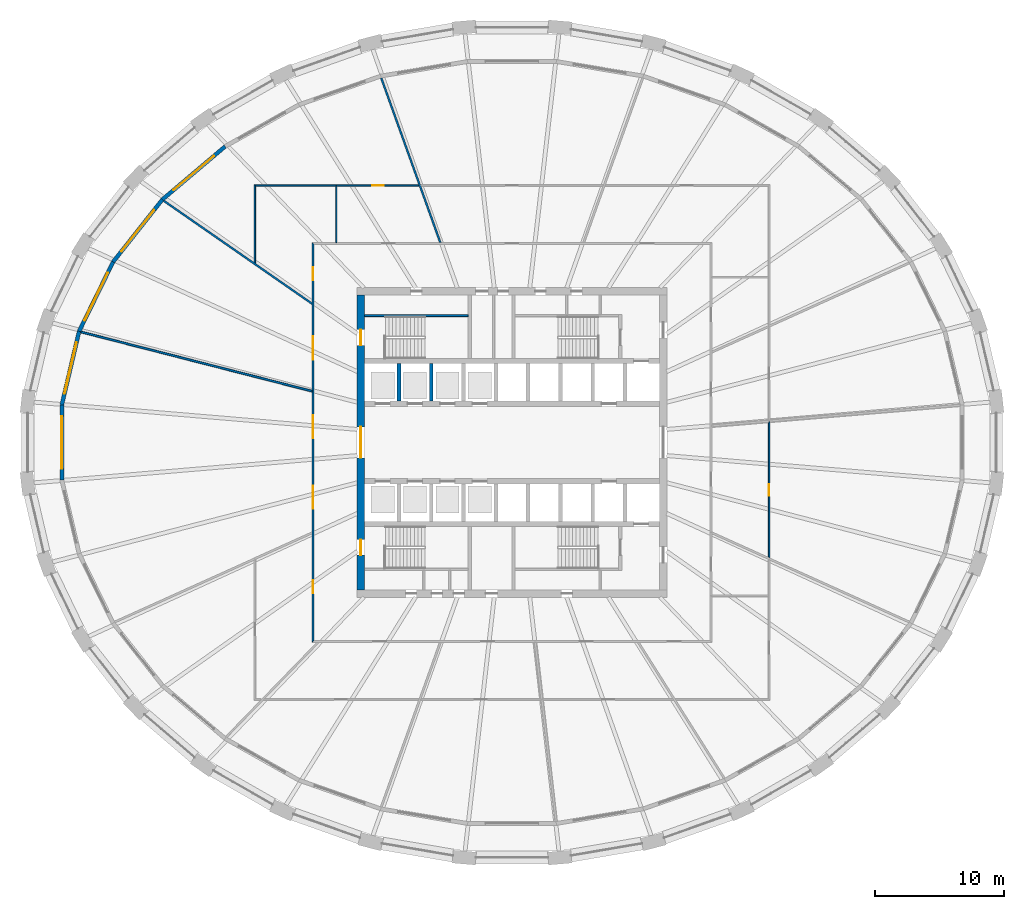
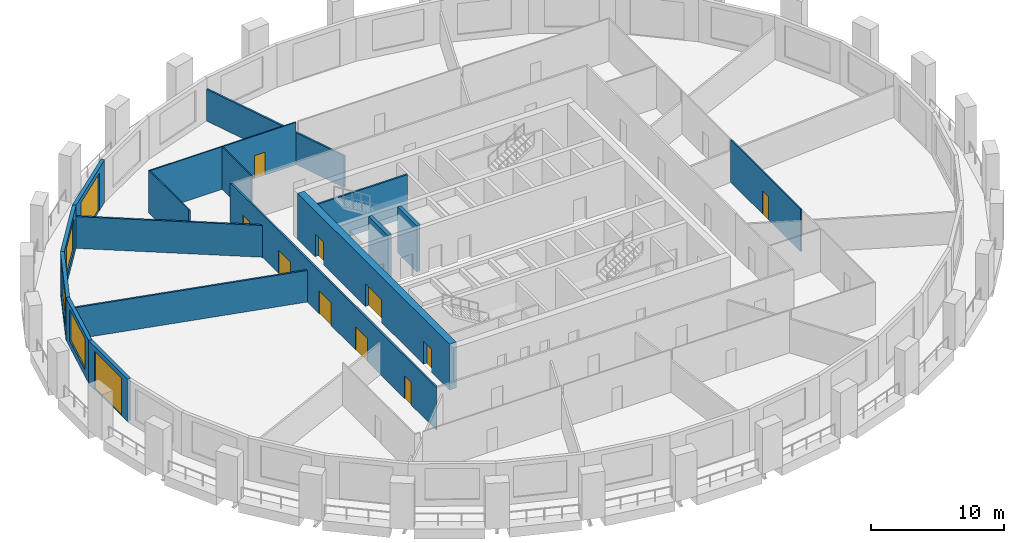
# One storey, part 5 of 11: 17 walls, 12 doors, 3 windows, 15 openings.
"""IFC4 building model written with IfcOpenShell, lengths in metres."""

import ifcopenshell
import ifcopenshell.guid

model = None  # the IFC model being written
_history = None  # IfcOwnerHistory: only IFC2X3 demands one
_inside = {}  # id of a spatial element -> (the spatial element, [elements in it])
_under = {}  # id of a project, library or spatial element -> (it, [spatial elements below it])
_declared = {}  # id of a project -> (the project, [libraries it declares])
_typed = {}  # id of a type object -> (the type object, [elements of that type])
_made_of = {}  # id of a material, layer set ... -> (it, [elements and type objects made of it])


def new_model(schema):
    """Start an empty IFC model of exactly this schema.

    Asked for "IFC4X3", IfcOpenShell would pick the latest addendum, in which some entities
    have other attributes; the version numbers below select the first issue.
    IFC2X3 requires an IfcOwnerHistory on every rooted entity: one is made here for all.
    """
    global model, _history
    if schema == "IFC4X3":
        model = ifcopenshell.file(schema_version=(4, 3, 0, 0))
    else:
        model = ifcopenshell.file(schema=schema)
    _inside.clear()
    _under.clear()
    _declared.clear()
    _typed.clear()
    _made_of.clear()
    _history = None
    if model.schema == "IFC2X3":
        org = make("IfcOrganization", Name="unknown")
        user = make(
            "IfcPersonAndOrganization",
            ThePerson=make("IfcPerson", FamilyName="unknown"),
            TheOrganization=org,
        )
        app = make(
            "IfcApplication",
            ApplicationDeveloper=org,
            Version="unknown",
            ApplicationFullName="unknown",
            ApplicationIdentifier="unknown",
        )
        _history = make(
            "IfcOwnerHistory",
            OwningUser=user,
            OwningApplication=app,
            ChangeAction="ADDED",
            CreationDate=0,
        )
    return model


def make(cls, **values):
    """One entity of the class cls with the attributes given. An attribute that is None is left unset."""
    return model.create_entity(
        cls, **{name: value for name, value in values.items() if value is not None}
    )


def rooted(cls, **values):
    """An entity with a GlobalId (a new one), such as an element, a storey or a relation."""
    return make(cls, GlobalId=ifcopenshell.guid.new(), OwnerHistory=_history, **values)


def si_unit(unit_type, name, prefix=None):
    """IfcSIUnit, for example si_unit("LENGTHUNIT", "METRE", prefix="MILLI")."""
    return make("IfcSIUnit", UnitType=unit_type, Prefix=prefix, Name=name)


def assignment(units):
    """IfcUnitAssignment: the units of a project."""
    return None if units is None else make("IfcUnitAssignment", Units=units)


def point(xyz):
    """IfcCartesianPoint."""
    return None if xyz is None else make("IfcCartesianPoint", Coordinates=xyz)


def direction(xyz):
    """IfcDirection."""
    return None if xyz is None else make("IfcDirection", DirectionRatios=xyz)


def frame(location, z_axis=None, x_axis=None):
    """IfcAxis2Placement3D, a coordinate frame: its origin and axes. An axis left out is left unset."""
    return make(
        "IfcAxis2Placement3D",
        Location=point(location),
        Axis=direction(z_axis),
        RefDirection=direction(x_axis),
    )


def frame_2d(location, x_axis=None):
    """IfcAxis2Placement2D, a coordinate frame in the plane: its origin and x axis."""
    return make(
        "IfcAxis2Placement2D", Location=point(location), RefDirection=direction(x_axis)
    )


def origin():
    """The frame at (0, 0, 0) with its axes left unset."""
    return frame((0.0, 0.0, 0.0))


def place(relative_to, where):
    """IfcLocalPlacement: puts the frame where relative to a parent placement (None: the world)."""
    return make(
        "IfcLocalPlacement", PlacementRelTo=relative_to, RelativePlacement=where
    )


def context(
    kind, dimensions, precision=None, world=None, true_north=None, identifier=None
):
    """IfcGeometricRepresentationContext, for example the 3D "Model" context."""
    return make(
        "IfcGeometricRepresentationContext",
        ContextIdentifier=identifier,
        ContextType=kind,
        CoordinateSpaceDimension=dimensions,
        Precision=precision,
        WorldCoordinateSystem=world,
        TrueNorth=true_north,
    )


def subcontext(parent, identifier, kind, view, scale=None):
    """IfcGeometricRepresentationSubContext, for example "Body" below "Model"."""
    return make(
        "IfcGeometricRepresentationSubContext",
        ContextIdentifier=identifier,
        ContextType=kind,
        ParentContext=parent,
        TargetScale=scale,
        TargetView=view,
    )


def project(units=None, contexts=None):
    """IfcProject with its units and contexts."""
    return rooted(
        "IfcProject",
        Name="project",
        RepresentationContexts=contexts,
        UnitsInContext=assignment(units),
    )


def spatial(cls, under=None, at=None, **own):
    """A site, building, storey or space (cls), placed at a placement, below another one or the project."""
    s = rooted(cls, ObjectPlacement=at, **own)
    if under is not None:
        _under.setdefault(under.id(), (under, []))[1].append(s)
    return s


def polyline(points):
    """IfcPolyline through the points."""
    return make("IfcPolyline", Points=[point(p) for p in points])


def profile(cls, at=None, kind="AREA", **sizes):
    """A parametric profile (cls). Its sizes go by their IFC names, for example OverallWidth=200.0."""
    return make(cls, ProfileType=kind, Position=at, **sizes)


def rectangle(**sizes):
    """IfcRectangleProfileDef."""
    return profile("IfcRectangleProfileDef", **sizes)


def outline(outer, holes=None, kind="AREA"):
    """IfcArbitraryClosedProfileDef: a profile drawn as a closed curve; with holes, ...WithVoids."""
    if holes is None:
        return make("IfcArbitraryClosedProfileDef", ProfileType=kind, OuterCurve=outer)
    return make(
        "IfcArbitraryProfileDefWithVoids",
        ProfileType=kind,
        OuterCurve=outer,
        InnerCurves=holes,
    )


def extrude(swept, where, along, depth):
    """IfcExtrudedAreaSolid: the profile swept, set in the frame where, extruded along a direction by depth."""
    return make(
        "IfcExtrudedAreaSolid",
        SweptArea=swept,
        Position=where,
        ExtrudedDirection=direction(along),
        Depth=depth,
    )


def shape(context_of_items, identifier, shape_type, items):
    """IfcShapeRepresentation: the items that make up one representation, for example the "Body"."""
    return make(
        "IfcShapeRepresentation",
        ContextOfItems=context_of_items,
        RepresentationIdentifier=identifier,
        RepresentationType=shape_type,
        Items=items,
    )


def material(Name=None, Category=None):
    """IfcMaterial."""
    return make("IfcMaterial", Name=Name, Category=Category)


def layer(
    of_material, thickness, ventilated=None, Name=None, Category=None, Priority=None
):
    """IfcMaterialLayer: one layer of a wall or slab, of a material (None: an air gap)."""
    return make(
        "IfcMaterialLayer",
        Material=of_material,
        LayerThickness=thickness,
        IsVentilated=ventilated,
        Name=Name,
        Category=Category,
        Priority=Priority,
    )


def layer_set(layers, Name=None):
    """IfcMaterialLayerSet."""
    return make("IfcMaterialLayerSet", MaterialLayers=layers, LayerSetName=Name)


def made_of(thing, what):
    """Note that an element or type object is made of a material, layer set ...; save() writes the relation."""
    if what is not None:
        _made_of.setdefault(what.id(), (what, []))[1].append(thing)
    return thing


def type_object(cls, material=None, **own):
    """A type object (cls), such as IfcWallType, which elements share."""
    return made_of(rooted(cls, **own), material)


def element(
    cls,
    number,
    at=None,
    inside=None,
    cuts=None,
    type_object=None,
    material=None,
    context=None,
    identifier="Body",
    shape_type=None,
    held_by="IfcProductDefinitionShape",
    body=None,
    shapes=None,
    **own,
):
    """One element of the class cls, such as IfcWall. Its Tag is "e" and its number.

    at: its placement. inside: the storey or other place that contains it. cuts: it is an
    opening in that element (IfcRelVoidsElement). A single representation is given by context,
    identifier, shape_type and body (its items); several are given by shapes. held_by: the class
    of the entity that holds the representations. save() writes the other relations.
    """
    e = rooted(cls, Tag="e%d" % number, ObjectPlacement=at, **own)
    if body is not None:
        shapes = [shape(context, identifier, shape_type, body)]
    if shapes is not None:
        e.Representation = make(held_by, Representations=shapes)
    if inside is not None:
        _inside.setdefault(inside.id(), (inside, []))[1].append(e)
    if cuts is not None:
        rooted(
            "IfcRelVoidsElement", RelatingBuildingElement=cuts, RelatedOpeningElement=e
        )
    if type_object is not None:
        _typed.setdefault(type_object.id(), (type_object, []))[1].append(e)
    return made_of(e, material)


def fill(opening, filler):
    """IfcRelFillsElement: the door or window that sits in an opening."""
    return rooted(
        "IfcRelFillsElement",
        RelatingOpeningElement=opening,
        RelatedBuildingElement=filler,
    )


def aggregate(whole, parts):
    """IfcRelAggregates: a whole, such as a stair, and the parts it consists of."""
    return rooted("IfcRelAggregates", RelatingObject=whole, RelatedObjects=parts)


def save(model, path):
    """Write the relations noted so far, then the file.

    IfcRelAggregates (storeys below a building ...), IfcRelContainedInSpatialStructure (elements
    in a storey), IfcRelDefinesByType, IfcRelAssociatesMaterial and IfcRelDeclares: one each for
    every whole, place, type object, material and project.
    """
    for whole, parts in _under.values():
        aggregate(whole, parts)
    for where, things in _inside.values():
        rooted(
            "IfcRelContainedInSpatialStructure",
            RelatedElements=things,
            RelatingStructure=where,
        )
    for kind, things in _typed.values():
        rooted("IfcRelDefinesByType", RelatedObjects=things, RelatingType=kind)
    for what, things in _made_of.values():
        rooted("IfcRelAssociatesMaterial", RelatedObjects=things, RelatingMaterial=what)
    for by, libraries in _declared.values():
        rooted("IfcRelDeclares", RelatingContext=by, RelatedDefinitions=libraries)
    model.write(path)


model = new_model("IFC4")

# Units and contexts
model_context = context("Model", 3, precision=1e-05, world=origin(), true_north=direction((0.0, 1.0)))
body_context = subcontext(model_context, "Body", "Model", "MODEL_VIEW")
ifc_project = project(units=[si_unit("LENGTHUNIT", "METRE"), si_unit("AREAUNIT", "SQUARE_METRE"), si_unit("VOLUMEUNIT", "CUBIC_METRE"), si_unit("PLANEANGLEUNIT", "RADIAN"), si_unit("MASSUNIT", "GRAM", prefix="KILO")], contexts=[model_context])

# Site, building, storey
site_placement = place(None, origin())
site = spatial("IfcSite", under=ifc_project, at=site_placement, CompositionType="ELEMENT")
building_placement = place(site_placement, origin())
building = spatial("IfcBuilding", under=site, at=building_placement, Name="Halqa Exchange Tower", CompositionType="ELEMENT")
storey_placement = place(building_placement, frame((0.0, 0.0, 40.300048828125)))
storey = spatial("IfcBuildingStorey", under=building, at=storey_placement, Name="L08", CompositionType="ELEMENT", Elevation=40.300048828125)

# Wall
ifc_material_1 = material(Name="Fire-rated gypsum board")
ifc_layer_1 = layer(ifc_material_1, 0.14990234375)
ifc_layer_set_1 = layer_set([ifc_layer_1], Name="Fire-rated gypsum board")
wall_type_1 = type_object("IfcWallType", Name="Fire partition EI 60 150", PredefinedType="PARTITIONING", material=ifc_layer_set_1)
wall_1_placement = place(storey_placement, frame((-26.949462890625, 18.702880859375, 0.0), z_axis=(0.0, 0.0, 1.0), x_axis=(0.821614916445, -0.570042918626, 0.0)))
element("IfcWall", 1, at=wall_1_placement, inside=storey, type_object=wall_type_1, Name="L08-PWL-002", PredefinedType="PARTITIONING", context=body_context, shape_type="SweptSolid", body=[
    extrude(outline(polyline([(14.017333984375, -0.074951171875), (14.017333984375, -0.074462890625), (13.966796875, -0.001708984375), (13.966796875, -0.001708984375), (13.913818359375, 0.074951171875), (12.099853515625, 0.074951171875), (10.285888671875, 0.074951171875), (8.47216796875, 0.074951171875), (8.46875, 0.07275390625), (8.467041015625, 0.074951171875), (6.778564453125, 0.074951171875), (5.090087890625, 0.074951171875), (3.401611328125, 0.074951171875), (1.712890625, 0.074951171875), (0.0244140625, 0.074951171875), (0.00439453125, 0.00048828125), (0.0, -0.071044921875), (0.0, -0.074951171875), (1.752197265625, -0.074951171875), (3.50439453125, -0.074951171875), (5.256591796875, -0.074951171875), (7.0087890625, -0.074951171875), (8.7607421875, -0.074951171875), (10.512939453125, -0.074951171875), (12.26513671875, -0.074951171875), (14.017333984375, -0.074951171875)])), origin(), (0.0, 0.0, 1.0), 2.909912109375),
])

# Wall, openings, doors
wall_2_placement = place(storey_placement, frame((-15.39990234375, -15.47509765625, 0.0), z_axis=(0.0, 0.0, 1.0), x_axis=(0.0, 1.0, 0.0)))
wall_2 = element("IfcWall", 2, at=wall_2_placement, inside=storey, type_object=wall_type_1, Name="L08-PWL-009", PredefinedType="PARTITIONING", context=body_context, shape_type="SweptSolid", body=[
    extrude(outline(polyline([(0.150146484375, -0.074951171875), (2.065673828125, -0.074951171875), (3.9814453125, -0.074951171875), (5.89697265625, -0.074951171875), (7.8125, -0.074951171875), (9.728271484375, -0.074951171875), (11.643798828125, -0.074951171875), (13.5595703125, -0.074951171875), (15.47509765625, -0.074951171875), (17.390625, -0.074951171875), (19.306396484375, -0.074951171875), (21.221923828125, -0.074951171875), (23.1376953125, -0.074951171875), (25.05322265625, -0.074951171875), (26.96875, -0.074951171875), (28.884521484375, -0.074951171875), (30.800048828125, -0.074951171875), (30.949951171875, 0.074951171875), (29.015625, 0.074951171875), (27.081298828125, 0.074951171875), (25.14697265625, 0.074951171875), (23.21240234375, 0.074951171875), (21.278076171875, 0.074951171875), (19.34375, 0.074951171875), (17.409423828125, 0.074951171875), (15.47509765625, 0.074951171875), (13.540771484375, 0.074951171875), (11.6064453125, 0.074951171875), (9.672119140625, 0.074951171875), (7.73779296875, 0.074951171875), (5.80322265625, 0.074951171875), (3.868896484375, 0.074951171875), (1.9345703125, 0.074951171875), (0.000244140625, 0.074951171875), (0.150146484375, -0.074951171875)])), origin(), (0.0, 0.0, 1.0), 3.89990234375),
])
opening_1_placement = place(wall_2_placement, frame((28.02001953125, 0.0, 0.0)))
opening_1 = element("IfcOpeningElement", 3, at=opening_1_placement, cuts=wall_2, Name="Opening 02-01", PredefinedType="OPENING", context=body_context, shape_type="SweptSolid", body=[
    extrude(rectangle(XDim=1.0, YDim=2.10009765625, at=frame_2d((0.5, 1.050048828125))), frame((0.0, 0.0869140625, 0.0), z_axis=(0.0, -1.0, 0.0), x_axis=(1.0, 0.0, 0.0)), (0.0, 0.0, 1.0), 0.173828125),
])
opening_2_placement = place(wall_2_placement, frame((21.89501953125, 0.0, 0.0)))
opening_2 = element("IfcOpeningElement", 4, at=opening_2_placement, cuts=wall_2, Name="Opening 02-03", PredefinedType="OPENING", context=body_context, shape_type="SweptSolid", body=[
    extrude(rectangle(XDim=1.800048828125, YDim=2.10009765625, at=frame_2d((0.89990234375, 1.050048828125))), frame((0.0, 0.0869140625, 0.0), z_axis=(0.0, -1.0, 0.0), x_axis=(1.0, 0.0, 0.0)), (0.0, 0.0, 1.0), 0.173828125),
])
opening_3_placement = place(wall_2_placement, frame((15.797607421875, 0.0, 0.0)))
opening_3 = element("IfcOpeningElement", 5, at=opening_3_placement, cuts=wall_2, Name="Opening 02-04", PredefinedType="OPENING", context=body_context, shape_type="SweptSolid", body=[
    extrude(rectangle(XDim=1.800048828125, YDim=2.10009765625, at=frame_2d((0.89990234375, 1.050048828125))), frame((0.0, 0.0869140625, 0.0), z_axis=(0.0, -1.0, 0.0), x_axis=(1.0, 0.0, 0.0)), (0.0, 0.0, 1.0), 0.173828125),
])
opening_4_placement = place(wall_2_placement, frame((10.342529296875, 0.0, 0.0)))
opening_4 = element("IfcOpeningElement", 6, at=opening_4_placement, cuts=wall_2, Name="Opening 02-05", PredefinedType="OPENING", context=body_context, shape_type="SweptSolid", body=[
    extrude(rectangle(XDim=1.800048828125, YDim=2.10009765625, at=frame_2d((0.89990234375, 1.050048828125))), frame((0.0, 0.0869140625, 0.0), z_axis=(0.0, -1.0, 0.0), x_axis=(1.0, 0.0, 0.0)), (0.0, 0.0, 1.0), 0.173828125),
])
opening_5_placement = place(wall_2_placement, frame((3.794921875, 0.0, 0.0)))
opening_5 = element("IfcOpeningElement", 7, at=opening_5_placement, cuts=wall_2, Name="Opening 02-06", PredefinedType="OPENING", context=body_context, shape_type="SweptSolid", body=[
    extrude(rectangle(XDim=1.0, YDim=2.10009765625, at=frame_2d((0.5, 1.050048828125))), frame((0.0, 0.0869140625, 0.0), z_axis=(0.0, -1.0, 0.0), x_axis=(1.0, 0.0, 0.0)), (0.0, 0.0, 1.0), 0.173828125),
])
ifc_material_2 = material(Name="Steel fire door leaf", Category="steel")
door_type_1 = type_object("IfcDoorType", Name="Fire door FD30S 1000 x 2100", OperationType="SINGLE_SWING_LEFT", PredefinedType="DOOR", material=ifc_material_2)
door_1_placement = place(opening_1_placement, origin())
door_1 = element("IfcDoor", 8, at=door_1_placement, inside=storey, type_object=door_type_1, Name="L08-IDR-001", OperationType="SINGLE_SWING_RIGHT", OverallHeight=2.10009765625, OverallWidth=1.0, PredefinedType="DOOR", context=body_context, shape_type="SweptSolid", body=[
    extrude(rectangle(XDim=1.0, YDim=2.10009765625, at=frame_2d((0.5, 1.050048828125))), frame((0.0, 0.02490234375, 0.0), z_axis=(0.0, -1.0, 0.0), x_axis=(1.0, 0.0, 0.0)), (0.0, 0.0, 1.0), 0.050048828125),
])
fill(opening_1, door_1)
door_2_placement = place(opening_5_placement, origin())
door_2 = element("IfcDoor", 9, at=door_2_placement, inside=storey, type_object=door_type_1, Name="L08-IDR-006", OperationType="SINGLE_SWING_LEFT", OverallHeight=2.10009765625, OverallWidth=1.0, PredefinedType="DOOR", context=body_context, shape_type="SweptSolid", body=[
    extrude(rectangle(XDim=1.0, YDim=2.10009765625, at=frame_2d((0.5, 1.050048828125))), frame((0.0, 0.02490234375, 0.0), z_axis=(0.0, -1.0, 0.0), x_axis=(1.0, 0.0, 0.0)), (0.0, 0.0, 1.0), 0.050048828125),
])
fill(opening_5, door_2)
door_type_2 = type_object("IfcDoorType", Name="Fire door FD30S double 1800 x 2100", OperationType="DOUBLE_DOOR_SINGLE_SWING", PredefinedType="DOOR", material=ifc_material_2)
door_3_placement = place(opening_2_placement, origin())
door_3 = element("IfcDoor", 10, at=door_3_placement, inside=storey, type_object=door_type_2, Name="L08-IDR-003", OperationType="DOUBLE_DOOR_SINGLE_SWING", OverallHeight=2.10009765625, OverallWidth=1.800048828125, PredefinedType="DOOR", context=body_context, shape_type="SweptSolid", body=[
    extrude(rectangle(XDim=1.800048828125, YDim=2.10009765625, at=frame_2d((0.89990234375, 1.050048828125))), frame((0.0, 0.02490234375, 0.0), z_axis=(0.0, -1.0, 0.0), x_axis=(1.0, 0.0, 0.0)), (0.0, 0.0, 1.0), 0.050048828125),
])
fill(opening_2, door_3)
door_4_placement = place(opening_3_placement, origin())
door_4 = element("IfcDoor", 11, at=door_4_placement, inside=storey, type_object=door_type_2, Name="L08-IDR-004", OperationType="DOUBLE_DOOR_SINGLE_SWING", OverallHeight=2.10009765625, OverallWidth=1.800048828125, PredefinedType="DOOR", context=body_context, shape_type="SweptSolid", body=[
    extrude(rectangle(XDim=1.800048828125, YDim=2.10009765625, at=frame_2d((0.89990234375, 1.050048828125))), frame((0.0, 0.02490234375, 0.0), z_axis=(0.0, -1.0, 0.0), x_axis=(1.0, 0.0, 0.0)), (0.0, 0.0, 1.0), 0.050048828125),
])
fill(opening_3, door_4)
door_5_placement = place(opening_4_placement, origin())
door_5 = element("IfcDoor", 12, at=door_5_placement, inside=storey, type_object=door_type_2, Name="L08-IDR-005", OperationType="DOUBLE_DOOR_SINGLE_SWING", OverallHeight=2.10009765625, OverallWidth=1.800048828125, PredefinedType="DOOR", context=body_context, shape_type="SweptSolid", body=[
    extrude(rectangle(XDim=1.800048828125, YDim=2.10009765625, at=frame_2d((0.89990234375, 1.050048828125))), frame((0.0, 0.02490234375, 0.0), z_axis=(0.0, -1.0, 0.0), x_axis=(1.0, 0.0, 0.0)), (0.0, 0.0, 1.0), 0.050048828125),
])
fill(opening_4, door_5)

# Walls
wall_3_placement = place(storey_placement, frame((-15.456787109375, 3.964599609375, 0.0), z_axis=(0.0, 0.0, 1.0), x_axis=(-0.968658160146, 0.248397602209, 0.0)))
element("IfcWall", 13, at=wall_3_placement, inside=storey, type_object=wall_type_1, Name="L08-PWL-011", PredefinedType="PARTITIONING", context=body_context, shape_type="SweptSolid", body=[
    extrude(outline(polyline([(0.0380859375, -0.074951171875), (1.880615234375, -0.074951171875), (3.723388671875, -0.074951171875), (5.566162109375, -0.074951171875), (7.40869140625, -0.074951171875), (9.25146484375, -0.074951171875), (11.093994140625, -0.074951171875), (12.936767578125, -0.074951171875), (14.779296875, -0.074951171875), (16.6220703125, -0.074951171875), (18.46484375, -0.074951171875), (18.477783203125, -0.01220703125), (18.477783203125, 0.074951171875), (16.6298828125, 0.074951171875), (14.7822265625, 0.074951171875), (12.9345703125, 0.074951171875), (11.086669921875, 0.074951171875), (9.23876953125, 0.074951171875), (7.39111328125, 0.074951171875), (5.54345703125, 0.074951171875), (3.695556640625, 0.074951171875), (1.84765625, 0.074951171875), (0.0, 0.074951171875), (0.0, 0.0732421875), (0.0380859375, -0.074951171875)])), origin(), (0.0, 0.0, 1.0), 2.891845703125),
])
wall_4_placement = place(storey_placement, frame((-10.119384765625, 28.209228515625, 0.0), z_axis=(0.0, 0.0, 1.0), x_axis=(0.337949016046, -0.941164418448, 0.0)))
element("IfcWall", 14, at=wall_4_placement, inside=storey, type_object=wall_type_1, Name="L08-PWL-015", PredefinedType="PARTITIONING", context=body_context, shape_type="SweptSolid", body=[
    extrude(outline(polyline([(0.0, -0.074951171875), (1.749755859375, -0.074951171875), (3.49951171875, -0.074951171875), (5.249267578125, -0.074951171875), (6.9990234375, -0.074951171875), (8.74853515625, -0.074951171875), (8.7490234375, -0.07421875), (8.751220703125, -0.074951171875), (10.335205078125, -0.074951171875), (11.919189453125, -0.074951171875), (13.50341796875, -0.074951171875), (13.554931640625, 0.068603515625), (13.554931640625, 0.068603515625), (13.556884765625, 0.073974609375), (13.556884765625, 0.074951171875), (12.007568359375, 0.074951171875), (10.4580078125, 0.074951171875), (8.90869140625, 0.074951171875), (8.908203125, 0.0732421875), (8.9033203125, 0.074951171875), (7.12548828125, 0.074951171875), (5.347412109375, 0.074951171875), (3.569580078125, 0.074951171875), (1.791748046875, 0.074951171875), (0.013916015625, 0.074951171875), (0.00048828125, 0.00048828125), (0.0, -0.070556640625), (0.0, -0.074951171875)])), origin(), (0.0, 0.0, 1.0), 2.909912109375),
])
ifc_material_3 = material(Name="Gypsum board")
ifc_layer_2 = layer(ifc_material_3, 0.10009765625)
ifc_layer_set_2 = layer_set([ifc_layer_2], Name="Gypsum board")
wall_type_2 = type_object("IfcWallType", Name="Partition 100 gypsum", PredefinedType="PARTITIONING", material=ifc_layer_set_2)
wall_5_placement = place(storey_placement, frame((-19.89990234375, 13.868896484375, 0.0), z_axis=(0.0, 0.0, 1.0), x_axis=(0.0, 1.0, 0.0)))
element("IfcWall", 15, at=wall_5_placement, inside=storey, type_object=wall_type_2, Name="L08-PWL-006", PredefinedType="PARTITIONING", context=body_context, shape_type="SweptSolid", body=[
    extrude(outline(polyline([(0.0, -0.050048828125), (1.99365234375, -0.050048828125), (3.9873046875, -0.050048828125), (5.98095703125, -0.050048828125), (5.981201171875, -0.0498046875), (6.0810546875, 0.050048828125), (4.578125, 0.050048828125), (3.0751953125, 0.050048828125), (1.572021484375, 0.050048828125), (0.069091796875, 0.050048828125), (0.0, -0.049560546875), (0.0, -0.050048828125)])), origin(), (0.0, 0.0, 1.0), 3.89990234375),
])

# Wall, opening, door
wall_6_placement = place(storey_placement, frame((-19.949951171875, 19.89990234375, 0.0), z_axis=(0.0, 0.0, 1.0), x_axis=(1.0, 0.0, 0.0)))
wall_6 = element("IfcWall", 16, at=wall_6_placement, inside=storey, type_object=wall_type_2, Name="L08-PWL-007", PredefinedType="PARTITIONING", context=body_context, shape_type="SweptSolid", body=[
    extrude(outline(polyline([(12.717529296875, 0.050048828125), (10.900634765625, 0.050048828125), (9.083984375, 0.050048828125), (7.26708984375, 0.050048828125), (5.450439453125, 0.050048828125), (3.633544921875, 0.050048828125), (1.81689453125, 0.050048828125), (0.0, 0.050048828125), (0.10009765625, -0.050048828125), (1.902587890625, -0.050048828125), (3.705078125, -0.050048828125), (5.507568359375, -0.050048828125), (7.31005859375, -0.050048828125), (9.112548828125, -0.050048828125), (10.9150390625, -0.050048828125), (12.717529296875, -0.050048828125), (12.717529296875, 0.050048828125)])), origin(), (0.0, 0.0, 1.0), 3.89990234375),
])
opening_6_placement = place(wall_6_placement, frame((9.1298828125, 0.0, 0.0)))
opening_6 = element("IfcOpeningElement", 17, at=opening_6_placement, cuts=wall_6, Name="Opening 02-17", PredefinedType="OPENING", context=body_context, shape_type="SweptSolid", body=[
    extrude(rectangle(XDim=0.89990234375, YDim=2.10009765625, at=frame_2d((0.449951171875, 1.050048828125))), frame((0.0, 0.06201171875, 0.0), z_axis=(0.0, -1.0, 0.0), x_axis=(1.0, 0.0, 0.0)), (0.0, 0.0, 1.0), 0.1240234375),
])
ifc_material_4 = material(Name="Timber door leaf", Category="wood")
door_type_3 = type_object("IfcDoorType", Name="Door 900 x 2100", OperationType="SINGLE_SWING_LEFT", PredefinedType="DOOR", material=ifc_material_4)
door_6_placement = place(opening_6_placement, frame((0.89990234375, 0.0, 0.0), z_axis=(0.0, 0.0, 1.0), x_axis=(-1.0, 0.0, 0.0)))
door_6 = element("IfcDoor", 18, at=door_6_placement, inside=storey, type_object=door_type_3, Name="L08-IDR-017", OperationType="SINGLE_SWING_RIGHT", OverallHeight=2.10009765625, OverallWidth=0.89990234375, PredefinedType="DOOR", context=body_context, shape_type="SweptSolid", body=[
    extrude(rectangle(XDim=0.89990234375, YDim=2.10009765625, at=frame_2d((0.449951171875, 1.050048828125))), frame((0.0, 0.02490234375, 0.0), z_axis=(0.0, -1.0, 0.0), x_axis=(1.0, 0.0, 0.0)), (0.0, 0.0, 1.0), 0.050048828125),
])
fill(opening_6, door_6)

# Wall
wall_7_placement = place(storey_placement, frame((-13.60009765625, 19.85009765625, 0.0), z_axis=(0.0, 0.0, 1.0), x_axis=(0.0, -1.0, 0.0)))
element("IfcWall", 19, at=wall_7_placement, inside=storey, type_object=wall_type_2, Name="L08-PWL-013", PredefinedType="PARTITIONING", context=body_context, shape_type="SweptSolid", body=[
    extrude(rectangle(XDim=4.375, YDim=0.10009765625, at=frame_2d((2.1875, 0.0))), origin(), (0.0, 0.0, 1.0), 3.89990234375),
])

# Wall, opening, door
wall_8_placement = place(storey_placement, frame((19.89990234375, 1.58837890625, 0.0), z_axis=(0.0, 0.0, 1.0), x_axis=(0.0, -1.0, 0.0)))
wall_8 = element("IfcWall", 20, at=wall_8_placement, inside=storey, type_object=wall_type_2, Name="L08-PWL-035", PredefinedType="PARTITIONING", context=body_context, shape_type="SweptSolid", body=[
    extrude(outline(polyline([(0.017822265625, -0.050048828125), (1.76025390625, -0.050048828125), (3.5029296875, -0.050048828125), (5.24560546875, -0.050048828125), (6.98828125, -0.050048828125), (8.73095703125, -0.050048828125), (10.473388671875, -0.050048828125), (10.518310546875, 0.04931640625), (10.518310546875, 0.050048828125), (8.76513671875, 0.050048828125), (7.01220703125, 0.050048828125), (5.25927734375, 0.050048828125), (3.506103515625, 0.050048828125), (1.7529296875, 0.050048828125), (0.0, 0.050048828125), (0.0, 0.044189453125), (0.00732421875, -0.04345703125), (0.0, -0.044189453125), (0.0, -0.04443359375), (0.01708984375, -0.043212890625), (0.017822265625, -0.050048828125)])), origin(), (0.0, 0.0, 1.0), 3.89990234375),
])
opening_7_placement = place(wall_8_placement, frame((4.80859375, 0.0, 0.0)))
opening_7 = element("IfcOpeningElement", 21, at=opening_7_placement, cuts=wall_8, Name="Opening 02-23", PredefinedType="OPENING", context=body_context, shape_type="SweptSolid", body=[
    extrude(rectangle(XDim=0.89990234375, YDim=2.10009765625, at=frame_2d((0.449951171875, 1.050048828125))), frame((0.0, 0.06201171875, 0.0), z_axis=(0.0, -1.0, 0.0), x_axis=(1.0, 0.0, 0.0)), (0.0, 0.0, 1.0), 0.1240234375),
])
door_7_placement = place(opening_7_placement, frame((0.89990234375, 0.0, 0.0), z_axis=(0.0, 0.0, 1.0), x_axis=(-1.0, 0.0, 0.0)))
door_7 = element("IfcDoor", 22, at=door_7_placement, inside=storey, type_object=door_type_3, Name="L08-IDR-023", OperationType="SINGLE_SWING_RIGHT", OverallHeight=2.10009765625, OverallWidth=0.89990234375, PredefinedType="DOOR", context=body_context, shape_type="SweptSolid", body=[
    extrude(rectangle(XDim=0.89990234375, YDim=2.10009765625, at=frame_2d((0.449951171875, 1.050048828125))), frame((0.0, 0.02490234375, 0.0), z_axis=(0.0, -1.0, 0.0), x_axis=(1.0, 0.0, 0.0)), (0.0, 0.0, 1.0), 0.050048828125),
])
fill(opening_7, door_7)

# Walls
ifc_material_5 = material(Name="Concrete C60/75", Category="concrete")
ifc_layer_3 = layer(ifc_material_5, 0.300048828125)
ifc_layer_set_3 = layer_set([ifc_layer_3], Name="Concrete C60/75")
wall_type_3 = type_object("IfcWallType", Name="RC core wall 300", PredefinedType="SHEAR", material=ifc_layer_set_3)
for number, where, z_axis, x_axis, name in (
    (23, (-8.75, 3.199951171875, 0.0), (0.0, 0.0, 1.0), (0.0, 1.0, 0.0), "Shaft divider N1"),
    (24, (-6.25, 3.199951171875, 0.0), (0.0, 0.0, 1.0), (0.0, 1.0, 0.0), "Shaft divider N2"),
):
    element("IfcWall", number, at=place(storey_placement, frame(where, z_axis=z_axis, x_axis=x_axis)), inside=storey, type_object=wall_type_3, Name=name, PredefinedType="SHEAR", context=body_context, shape_type="SweptSolid", body=[
        extrude(rectangle(XDim=2.900146484375, YDim=0.300048828125, at=frame_2d((1.4501953125, 0.0))), origin(), (0.0, 0.0, 1.0), 4.199951171875),
    ])

# Wall, openings, doors
ifc_material_6 = material(Name="Concrete C80/95", Category="concrete")
ifc_layer_4 = layer(ifc_material_6, 0.60009765625)
ifc_layer_set_4 = layer_set([ifc_layer_4], Name="Concrete C80/95")
wall_type_4 = type_object("IfcWallType", Name="RC core wall 600 C80/95", PredefinedType="SHEAR", material=ifc_layer_set_4)
wall_9_placement = place(storey_placement, frame((-11.699951171875, -11.39990234375, 0.0), z_axis=(0.0, 0.0, 1.0), x_axis=(0.0, 1.0, 0.0)))
wall_9 = element("IfcWall", 25, at=wall_9_placement, inside=storey, type_object=wall_type_4, Name="Core wall west", PredefinedType="SHEAR", context=body_context, shape_type="SweptSolid", body=[
    extrude(rectangle(XDim=22.7998046875, YDim=0.60009765625, at=frame_2d((11.39990234375, 0.0))), origin(), (0.0, 0.0, 1.0), 4.199951171875),
])
opening_8_placement = place(wall_9_placement, frame((10.199951171875, 0.0, 0.0)))
opening_8 = element("IfcOpeningElement", 26, at=opening_8_placement, cuts=wall_9, Name="Opening T02-C13", PredefinedType="OPENING", context=body_context, shape_type="SweptSolid", body=[
    extrude(rectangle(XDim=2.39990234375, YDim=2.10009765625, at=frame_2d((1.199951171875, 1.050048828125))), frame((0.0, 0.31201171875, 0.0), z_axis=(0.0, -1.0, 0.0), x_axis=(1.0, 0.0, 0.0)), (0.0, 0.0, 1.0), 0.6240234375),
])
opening_9_placement = place(wall_9_placement, frame((18.925048828125, 0.0, 0.0)))
opening_9 = element("IfcOpeningElement", 27, at=opening_9_placement, cuts=wall_9, Name="Opening T02-C15", PredefinedType="OPENING", context=body_context, shape_type="SweptSolid", body=[
    extrude(rectangle(XDim=1.199951171875, YDim=2.10009765625, at=frame_2d((0.60009765625, 1.050048828125))), frame((0.0, 0.31201171875, 0.0), z_axis=(0.0, -1.0, 0.0), x_axis=(1.0, 0.0, 0.0)), (0.0, 0.0, 1.0), 0.6240234375),
])
opening_10_placement = place(wall_9_placement, frame((2.675048828125, 0.0, 0.0)))
opening_10 = element("IfcOpeningElement", 28, at=opening_10_placement, cuts=wall_9, Name="Opening T02-C17", PredefinedType="OPENING", context=body_context, shape_type="SweptSolid", body=[
    extrude(rectangle(XDim=1.199951171875, YDim=2.10009765625, at=frame_2d((0.60009765625, 1.050048828125))), frame((0.0, 0.31201171875, 0.0), z_axis=(0.0, -1.0, 0.0), x_axis=(1.0, 0.0, 0.0)), (0.0, 0.0, 1.0), 0.6240234375),
])
door_type_4 = type_object("IfcDoorType", Name="Lobby double door FD60 2400 x 2100", OperationType="DOUBLE_DOOR_SINGLE_SWING", PredefinedType="DOOR", material=ifc_material_2)
door_8_placement = place(opening_8_placement, frame((2.39990234375, 0.0, 0.0), z_axis=(0.0, 0.0, 1.0), x_axis=(-1.0, 0.0, 0.0)))
door_8 = element("IfcDoor", 29, at=door_8_placement, inside=storey, type_object=door_type_4, Name="Lift lobby double door", OperationType="DOUBLE_DOOR_SINGLE_SWING", OverallHeight=2.10009765625, OverallWidth=2.39990234375, PredefinedType="DOOR", context=body_context, shape_type="SweptSolid", body=[
    extrude(rectangle(XDim=2.39990234375, YDim=2.10009765625, at=frame_2d((1.199951171875, 1.050048828125))), frame((0.0, 0.02490234375, 0.0), z_axis=(0.0, -1.0, 0.0), x_axis=(1.0, 0.0, 0.0)), (0.0, 0.0, 1.0), 0.050048828125),
])
fill(opening_8, door_8)
door_type_5 = type_object("IfcDoorType", Name="Stair door FD90 1200 x 2100", OperationType="SINGLE_SWING_LEFT", PredefinedType="DOOR", material=ifc_material_2)
door_9_placement = place(opening_9_placement, frame((1.199951171875, 0.0, 0.0), z_axis=(0.0, 0.0, 1.0), x_axis=(-1.0, 0.0, 0.0)))
door_9 = element("IfcDoor", 30, at=door_9_placement, inside=storey, type_object=door_type_5, Name="Stair door ST1", OperationType="SINGLE_SWING_LEFT", OverallHeight=2.10009765625, OverallWidth=1.199951171875, PredefinedType="DOOR", context=body_context, shape_type="SweptSolid", body=[
    extrude(rectangle(XDim=1.199951171875, YDim=2.10009765625, at=frame_2d((0.60009765625, 1.050048828125))), frame((0.0, 0.02490234375, 0.0), z_axis=(0.0, -1.0, 0.0), x_axis=(1.0, 0.0, 0.0)), (0.0, 0.0, 1.0), 0.050048828125),
])
fill(opening_9, door_9)
door_10_placement = place(opening_10_placement, frame((1.199951171875, 0.0, 0.0), z_axis=(0.0, 0.0, 1.0), x_axis=(-1.0, 0.0, 0.0)))
door_10 = element("IfcDoor", 31, at=door_10_placement, inside=storey, type_object=door_type_5, Name="Stair door ST3", OperationType="SINGLE_SWING_LEFT", OverallHeight=2.10009765625, OverallWidth=1.199951171875, PredefinedType="DOOR", context=body_context, shape_type="SweptSolid", body=[
    extrude(rectangle(XDim=1.199951171875, YDim=2.10009765625, at=frame_2d((0.60009765625, 1.050048828125))), frame((0.0, 0.02490234375, 0.0), z_axis=(0.0, -1.0, 0.0), x_axis=(1.0, 0.0, 0.0)), (0.0, 0.0, 1.0), 0.050048828125),
])
fill(opening_10, door_10)

# Wall
ifc_material_7 = material(Name="Concrete C30/37", Category="concrete")
ifc_layer_5 = layer(ifc_material_7, 0.14990234375)
ifc_layer_set_5 = layer_set([ifc_layer_5], Name="Concrete C30/37")
wall_type_5 = type_object("IfcWallType", Name="RC stair wall 150 C30/37", PredefinedType="SHEAR", material=ifc_layer_set_5)
wall_10_placement = place(storey_placement, frame((-11.39990234375, 9.824951171875, 0.0), z_axis=(0.0, 0.0, 1.0), x_axis=(1.0, 0.0, 0.0)))
element("IfcWall", 32, at=wall_10_placement, inside=storey, type_object=wall_type_5, Name="Stair ST1 north wall N", PredefinedType="SHEAR", context=body_context, shape_type="SweptSolid", body=[
    extrude(rectangle(XDim=8.0, YDim=0.14990234375, at=frame_2d((4.0, 0.0))), origin(), (0.0, 0.0, 1.0), 3.89990234375),
])

# Wall, opening, door
ifc_material_8 = material(Name="Limestone cladding", Category="masonry")
ifc_layer_6 = layer(ifc_material_8, 0.0400390625)
ifc_material_9 = material(Name="Ventilated cavity")
ifc_layer_7 = layer(ifc_material_9, 0.030029296875, ventilated=True)
ifc_material_10 = material(Name="Mineral wool insulation")
ifc_layer_8 = layer(ifc_material_10, 0.10009765625)
ifc_layer_9 = layer(ifc_material_7, 0.10009765625)
ifc_material_11 = material(Name="Internal plaster")
ifc_layer_10 = layer(ifc_material_11, 0.030029296875)
ifc_layer_set_6 = layer_set([ifc_layer_6, ifc_layer_7, ifc_layer_8, ifc_layer_9, ifc_layer_10], Name="Stone-faced insulated wall 300")
wall_type_6 = type_object("IfcWallType", Name="Stone-faced insulated wall 300", PredefinedType="STANDARD", material=ifc_layer_set_6)
wall_11_placement = place(storey_placement, frame((-22.19970703125, 22.91064453125, 0.0), z_axis=(0.0, 0.0, 1.0), x_axis=(-0.763577077796, -0.645716691951, 0.0)))
wall_11 = element("IfcWall", 33, at=wall_11_placement, inside=storey, type_object=wall_type_6, Name="Glass-line wall 12", PredefinedType="STANDARD", context=body_context, shape_type="SweptSolid", body=[
    extrude(outline(polyline([(-0.01416015625, -0.14990234375), (6.372314453125, -0.14990234375), (6.342041015625, 0.14990234375), (0.01416015625, 0.14990234375), (-0.01416015625, -0.14990234375)])), origin(), (0.0, 0.0, 1.0), 3.89990234375),
])
opening_11_placement = place(wall_11_placement, frame((1.128662109375, 0.0, 0.0)))
opening_11 = element("IfcOpeningElement", 34, at=opening_11_placement, cuts=wall_11, Name="Opening LG-F1-03", PredefinedType="OPENING", context=body_context, shape_type="SweptSolid", body=[
    extrude(rectangle(XDim=4.10009765625, YDim=3.449951171875, at=frame_2d((2.050048828125, 1.72509765625))), frame((0.0, 0.162109375, 0.0), z_axis=(0.0, -1.0, 0.0), x_axis=(1.0, 0.0, 0.0)), (0.0, 0.0, 1.0), 0.323974609375),
])
ifc_material_12 = material(Name="Clear low-emissivity glass in aluminium frame", Category="aluminium")
door_type_6 = type_object("IfcDoorType", Name="Glazed sliding loggia door 4100 x 3450", OperationType="DOUBLE_DOOR_SLIDING", PredefinedType="DOOR", material=ifc_material_12)
door_11_placement = place(opening_11_placement, origin())
door_11 = element("IfcDoor", 35, at=door_11_placement, inside=storey, type_object=door_type_6, Name="Loggia door 3", OperationType="DOUBLE_DOOR_SLIDING", OverallHeight=3.449951171875, OverallWidth=4.10009765625, PredefinedType="DOOR", context=body_context, shape_type="SweptSolid", body=[
    extrude(rectangle(XDim=4.10009765625, YDim=3.449951171875, at=frame_2d((2.050048828125, 1.72509765625))), frame((0.0, 0.02490234375, 0.0), z_axis=(0.0, -1.0, 0.0), x_axis=(1.0, 0.0, 0.0)), (0.0, 0.0, 1.0), 0.050048828125),
])
fill(opening_11, door_11)

# Wall, opening, window
wall_12_placement = place(storey_placement, frame((-27.053955078125, 18.8056640625, 0.0), z_axis=(0.0, 0.0, 1.0), x_axis=(-0.61992334328, -0.784662378642, 0.0)))
wall_12 = element("IfcWall", 36, at=wall_12_placement, inside=storey, type_object=wall_type_6, Name="Glass-line wall 13", PredefinedType="STANDARD", context=body_context, shape_type="SweptSolid", body=[
    extrude(outline(polyline([(-0.01513671875, -0.14990234375), (6.1708984375, -0.14990234375), (6.138671875, 0.14990234375), (0.01513671875, 0.14990234375), (-0.01513671875, -0.14990234375)])), origin(), (0.0, 0.0, 1.0), 3.89990234375),
])
opening_12_placement = place(wall_12_placement, frame((1.02734375, 0.0, 0.60009765625)))
opening_12 = element("IfcOpeningElement", 37, at=opening_12_placement, cuts=wall_12, Name="Opening W-F1-13", PredefinedType="OPENING", context=body_context, shape_type="SweptSolid", body=[
    extrude(rectangle(XDim=4.10009765625, YDim=2.85009765625, at=frame_2d((2.050048828125, 1.425048828125))), frame((0.0, 0.162109375, 0.0), z_axis=(0.0, -1.0, 0.0), x_axis=(1.0, 0.0, 0.0)), (0.0, 0.0, 1.0), 0.323974609375),
])
window_type = type_object("IfcWindowType", Name="Fixed clear glazed window 4100 x 2850", PartitioningType="TRIPLE_PANEL_VERTICAL", PredefinedType="WINDOW", material=ifc_material_12)
window_1_placement = place(opening_12_placement, origin())
window_1 = element("IfcWindow", 38, at=window_1_placement, inside=storey, type_object=window_type, Name="Window 1", OverallHeight=2.85009765625, OverallWidth=4.10009765625, PartitioningType="TRIPLE_PANEL_VERTICAL", PredefinedType="WINDOW", context=body_context, shape_type="SweptSolid", body=[
    extrude(rectangle(XDim=4.10009765625, YDim=2.85009765625, at=frame_2d((2.050048828125, 1.425048828125))), frame((0.0, 0.030029296875, 0.0), z_axis=(0.0, -1.0, 0.0), x_axis=(1.0, 0.0, 0.0)), (0.0, 0.0, 1.0), 0.06005859375),
])
fill(opening_12, window_1)

wall_13_placement = place(storey_placement, frame((-30.869384765625, 13.976318359375, 0.0), z_axis=(0.0, 0.0, 1.0), x_axis=(-0.439896354052, -0.898048549741, 0.0)))
wall_13 = element("IfcWall", 39, at=wall_13_placement, inside=storey, type_object=wall_type_6, Name="Glass-line wall 14", PredefinedType="STANDARD", context=body_context, shape_type="SweptSolid", body=[
    extrude(outline(polyline([(-0.01611328125, -0.14990234375), (5.99462890625, -0.14990234375), (5.9609375, 0.14990234375), (0.01611328125, 0.14990234375), (-0.01611328125, -0.14990234375)])), origin(), (0.0, 0.0, 1.0), 3.89990234375),
])
opening_13_placement = place(wall_13_placement, frame((0.93896484375, 0.0, 0.60009765625)))
opening_13 = element("IfcOpeningElement", 40, at=opening_13_placement, cuts=wall_13, Name="Opening W-F1-14", PredefinedType="OPENING", context=body_context, shape_type="SweptSolid", body=[
    extrude(rectangle(XDim=4.10009765625, YDim=2.85009765625, at=frame_2d((2.050048828125, 1.425048828125))), frame((0.0, 0.162109375, 0.0), z_axis=(0.0, -1.0, 0.0), x_axis=(1.0, 0.0, 0.0)), (0.0, 0.0, 1.0), 0.323974609375),
])
window_2_placement = place(opening_13_placement, origin())
window_2 = element("IfcWindow", 41, at=window_2_placement, inside=storey, type_object=window_type, Name="Window 1", OverallHeight=2.85009765625, OverallWidth=4.10009765625, PartitioningType="TRIPLE_PANEL_VERTICAL", PredefinedType="WINDOW", context=body_context, shape_type="SweptSolid", body=[
    extrude(rectangle(XDim=4.10009765625, YDim=2.85009765625, at=frame_2d((2.050048828125, 1.425048828125))), frame((0.0, 0.030029296875, 0.0), z_axis=(0.0, -1.0, 0.0), x_axis=(1.0, 0.0, 0.0)), (0.0, 0.0, 1.0), 0.06005859375),
])
fill(opening_13, window_2)

wall_14_placement = place(storey_placement, frame((-33.4990234375, 8.60791015625, 0.0), z_axis=(0.0, 0.0, 1.0), x_axis=(-0.228976600496, -0.97343192696, 0.0)))
wall_14 = element("IfcWall", 42, at=wall_14_placement, inside=storey, type_object=wall_type_6, Name="Glass-line wall 15", PredefinedType="STANDARD", context=body_context, shape_type="SweptSolid", body=[
    extrude(outline(polyline([(-0.016845703125, -0.14990234375), (5.8740234375, -0.14990234375), (5.83935546875, 0.14990234375), (0.016845703125, 0.14990234375), (-0.016845703125, -0.14990234375)])), origin(), (0.0, 0.0, 1.0), 3.89990234375),
])
opening_14_placement = place(wall_14_placement, frame((0.87841796875, 0.0, 0.60009765625)))
opening_14 = element("IfcOpeningElement", 43, at=opening_14_placement, cuts=wall_14, Name="Opening W-F1-15", PredefinedType="OPENING", context=body_context, shape_type="SweptSolid", body=[
    extrude(rectangle(XDim=4.10009765625, YDim=2.85009765625, at=frame_2d((2.050048828125, 1.425048828125))), frame((0.0, 0.162109375, 0.0), z_axis=(0.0, -1.0, 0.0), x_axis=(1.0, 0.0, 0.0)), (0.0, 0.0, 1.0), 0.323974609375),
])
window_3_placement = place(opening_14_placement, origin())
window_3 = element("IfcWindow", 44, at=window_3_placement, inside=storey, type_object=window_type, Name="Window 1", OverallHeight=2.85009765625, OverallWidth=4.10009765625, PartitioningType="TRIPLE_PANEL_VERTICAL", PredefinedType="WINDOW", context=body_context, shape_type="SweptSolid", body=[
    extrude(rectangle(XDim=4.10009765625, YDim=2.85009765625, at=frame_2d((2.050048828125, 1.425048828125))), frame((0.0, 0.030029296875, 0.0), z_axis=(0.0, -1.0, 0.0), x_axis=(1.0, 0.0, 0.0)), (0.0, 0.0, 1.0), 0.06005859375),
])
fill(opening_14, window_3)

# Wall, opening, door
wall_15_placement = place(storey_placement, frame((-34.840087890625, 2.90673828125, 0.0), z_axis=(0.0, 0.0, 1.0), x_axis=(0.0, -1.0, 0.0)))
wall_15 = element("IfcWall", 45, at=wall_15_placement, inside=storey, type_object=wall_type_6, Name="Glass-line wall 16", PredefinedType="STANDARD", context=body_context, shape_type="SweptSolid", body=[
    extrude(outline(polyline([(-0.017333984375, -0.14990234375), (5.830810546875, -0.14990234375), (5.796142578125, 0.14990234375), (0.017333984375, 0.14990234375), (-0.017333984375, -0.14990234375)])), origin(), (0.0, 0.0, 1.0), 3.89990234375),
])
opening_15_placement = place(wall_15_placement, frame((0.856689453125, 0.0, 0.0)))
opening_15 = element("IfcOpeningElement", 46, at=opening_15_placement, cuts=wall_15, Name="Opening LG-F1-04", PredefinedType="OPENING", context=body_context, shape_type="SweptSolid", body=[
    extrude(rectangle(XDim=4.10009765625, YDim=3.449951171875, at=frame_2d((2.050048828125, 1.72509765625))), frame((0.0, 0.162109375, 0.0), z_axis=(0.0, -1.0, 0.0), x_axis=(1.0, 0.0, 0.0)), (0.0, 0.0, 1.0), 0.323974609375),
])
door_12_placement = place(opening_15_placement, origin())
door_12 = element("IfcDoor", 47, at=door_12_placement, inside=storey, type_object=door_type_6, Name="Loggia door 4", OperationType="DOUBLE_DOOR_SLIDING", OverallHeight=3.449951171875, OverallWidth=4.10009765625, PredefinedType="DOOR", context=body_context, shape_type="SweptSolid", body=[
    extrude(rectangle(XDim=4.10009765625, YDim=3.449951171875, at=frame_2d((2.050048828125, 1.72509765625))), frame((0.0, 0.02490234375, 0.0), z_axis=(0.0, -1.0, 0.0), x_axis=(1.0, 0.0, 0.0)), (0.0, 0.0, 1.0), 0.050048828125),
])
fill(opening_15, door_12)

save(model, "model.ifc")
